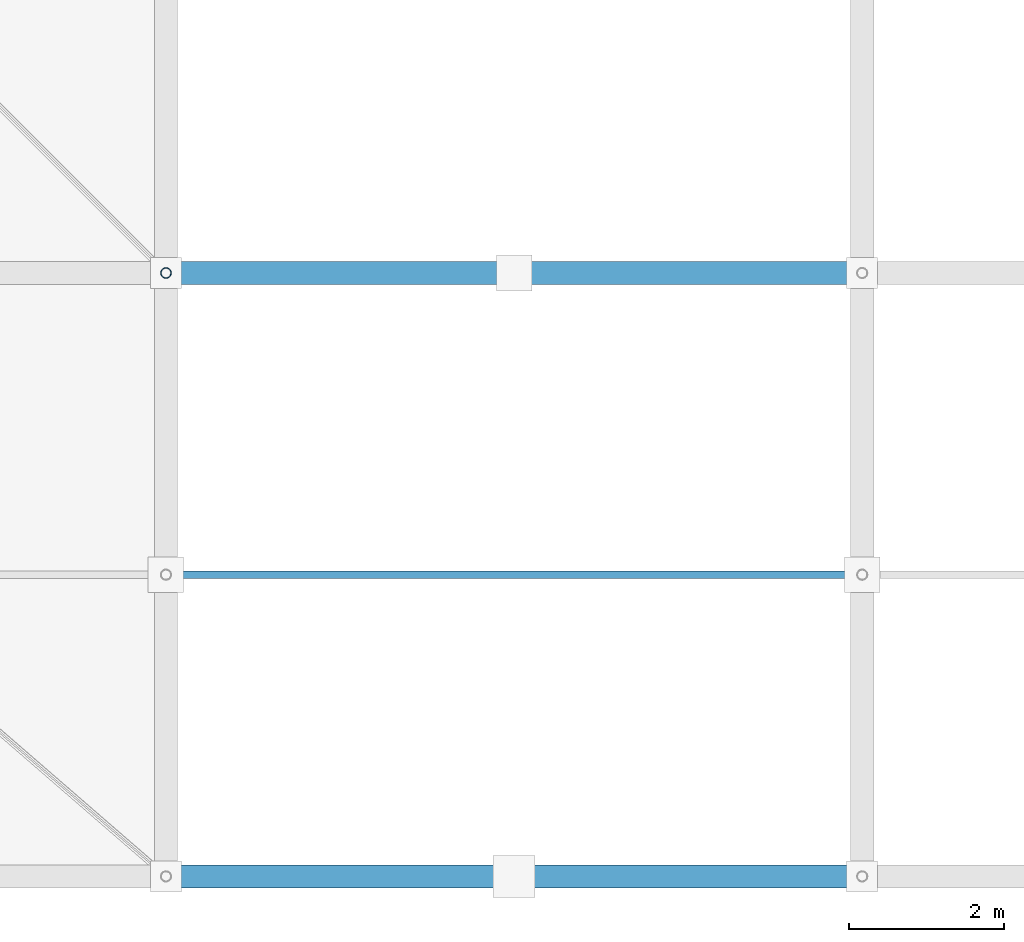
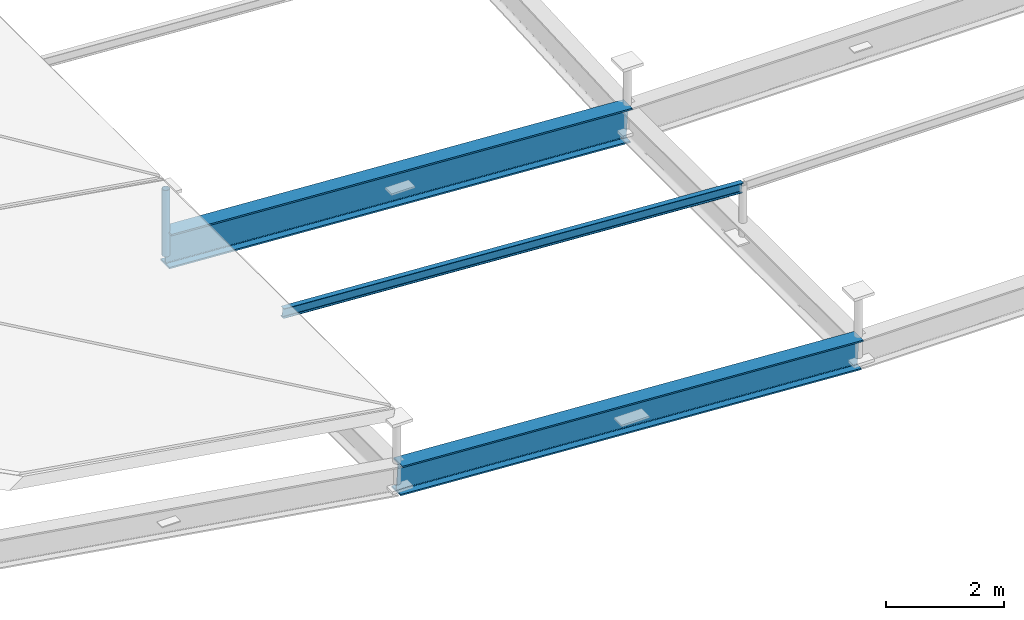
# One storey, part 4 of 80: 2 beams, 2 members.
"""IFC4 building model written with IfcOpenShell, lengths in metres."""

from ifc_helpers import new_model, si_unit, direction, frame, origin, origin_2d, place, context, subcontext, project, spatial, hollow_circle, i_section, extrude, material, material_profile, profile_set, type_object, element, save


model = new_model("IFC4")

# Units and contexts
model_context = context("Model", 3, precision=1e-05, world=origin(), true_north=direction((0.0, 1.0)))
body_context = subcontext(model_context, "Body", "Model", "MODEL_VIEW")
ifc_project = project(units=[si_unit("LENGTHUNIT", "METRE"), si_unit("AREAUNIT", "SQUARE_METRE"), si_unit("VOLUMEUNIT", "CUBIC_METRE"), si_unit("PLANEANGLEUNIT", "RADIAN"), si_unit("MASSUNIT", "GRAM", prefix="KILO")], contexts=[model_context])

# Site, building, storey
site_placement = place(None, origin())
site = spatial("IfcSite", under=ifc_project, at=site_placement, CompositionType="ELEMENT")
building_placement = place(site_placement, origin())
building = spatial("IfcBuilding", under=site, at=building_placement, Name="Barlavento Convention Centre", CompositionType="ELEMENT")
storey_placement = place(building_placement, frame((0.0, 0.0, 29.800048828125)))
storey = spatial("IfcBuildingStorey", under=building, at=storey_placement, Name="RF", CompositionType="ELEMENT", Elevation=29.800048828125)

# Beams
ifc_material_1 = material(Name="Steel S355", Category="steel")
ifc_material_profile_1 = material_profile(ifc_material_1, i_section(OverallWidth=0.300048828125, OverallDepth=0.60009765625, WebThickness=0.015380859375, FlangeThickness=0.030029296875, FilletRadius=0.027099609375, at=origin_2d()), Name="HEB 600")
ifc_profile_set_1 = profile_set([ifc_material_profile_1], Name="Steel S355")
beam_type_1 = type_object("IfcBeamType", Name="STR-BM-CANT-HEB600", PredefinedType="BEAM", material=ifc_profile_set_1)
beam_1_placement = place(storey_placement, frame((18.0048828125, -7.800048828125, -1.25634765625), z_axis=(0.998176275641, 0.0, -0.060366569787), x_axis=(0.0, 1.0, 0.0)))
element("IfcBeam", 1, at=beam_1_placement, inside=storey, type_object=beam_type_1, Name="Congress roof truss space frame chord", PredefinedType="BEAM", context=body_context, shape_type="SweptSolid", body=[
    extrude(i_section(OverallWidth=0.300048828125, OverallDepth=0.60009765625, WebThickness=0.015380859375, FlangeThickness=0.030029296875, FilletRadius=0.027099609375, at=origin_2d()), origin(), (0.0, 0.0, 1.0), 9.006591796875),
])
ifc_material_2 = material(Name="Steel S460", Category="steel")
ifc_material_profile_2 = material_profile(ifc_material_2, i_section(OverallWidth=0.300048828125, OverallDepth=0.699951171875, WebThickness=0.01708984375, FlangeThickness=0.031982421875, FilletRadius=0.027099609375, at=origin_2d()), Name="HEB 700")
ifc_profile_set_2 = profile_set([ifc_material_profile_2], Name="Steel S460")
beam_type_2 = type_object("IfcBeamType", Name="STR-BM-TRUSS-TOP-HEB700", PredefinedType="BEAM", material=ifc_profile_set_2)
beam_2_placement = place(storey_placement, frame((18.0048828125, 0.0, -1.25634765625), z_axis=(0.998176275641, 0.0, -0.060366569787), x_axis=(0.0, 1.0, 0.0)))
element("IfcBeam", 2, at=beam_2_placement, inside=storey, type_object=beam_type_2, Name="Congress roof truss space frame chord", PredefinedType="BEAM", context=body_context, shape_type="SweptSolid", body=[
    extrude(i_section(OverallWidth=0.300048828125, OverallDepth=0.699951171875, WebThickness=0.01708984375, FlangeThickness=0.031982421875, FilletRadius=0.027099609375, at=origin_2d()), origin(), (0.0, 0.0, 1.0), 9.006591796875),
])

# Members
ifc_material_profile_3 = material_profile(ifc_material_1, hollow_circle(Radius=0.06982421875, WallThickness=0.008056640625, at=origin_2d()), Name="CHS 139.7x8.0")
ifc_profile_set_3 = profile_set([ifc_material_profile_3], Name="Steel S355")
member_type_1 = type_object("IfcMemberType", Name="STR-MEM-DIAG-CHS139", PredefinedType="BRACE", material=ifc_profile_set_3)
member_1_placement = place(storey_placement, frame((18.0, 0.0, -1.40625), z_axis=(0.0, 0.0, 1.0), x_axis=(1.0, 0.0, 0.0)))
element("IfcMember", 3, at=member_1_placement, inside=storey, type_object=member_type_1, Name="Congress space frame vertical node post TD04", PredefinedType="BRACE", context=body_context, shape_type="SweptSolid", body=[
    extrude(hollow_circle(Radius=0.06982421875, WallThickness=0.008056640625, at=origin_2d()), origin(), (0.0, 0.0, 1.0), 1.369873046875),
])
ifc_material_profile_4 = material_profile(ifc_material_1, i_section(OverallWidth=0.10009765625, OverallDepth=0.199951171875, WebThickness=0.005615234375, FlangeThickness=0.008544921875, FilletRadius=0.011962890625, at=origin_2d()), Name="IPE 200")
ifc_profile_set_4 = profile_set([ifc_material_profile_4], Name="Steel S355")
member_type_2 = type_object("IfcMemberType", Name="STR-MEM-PUR-IPE200", PredefinedType="PURLIN", material=ifc_profile_set_4)
member_2_placement = place(storey_placement, frame((18.02001953125, -3.89990234375, -0.2373046875), z_axis=(0.99818200864, 0.0, -0.060271698396), x_axis=(0.0, 1.0, 0.0)))
element("IfcMember", 4, at=member_2_placement, inside=storey, type_object=member_type_2, Name="Congress roof intermediate purlin PR01", PredefinedType="PURLIN", context=body_context, shape_type="SweptSolid", body=[
    extrude(i_section(OverallWidth=0.10009765625, OverallDepth=0.199951171875, WebThickness=0.005615234375, FlangeThickness=0.008544921875, FilletRadius=0.011962890625, at=origin_2d()), origin(), (0.0, 0.0, 1.0), 8.976318359375),
])

save(model, "model.ifc")
